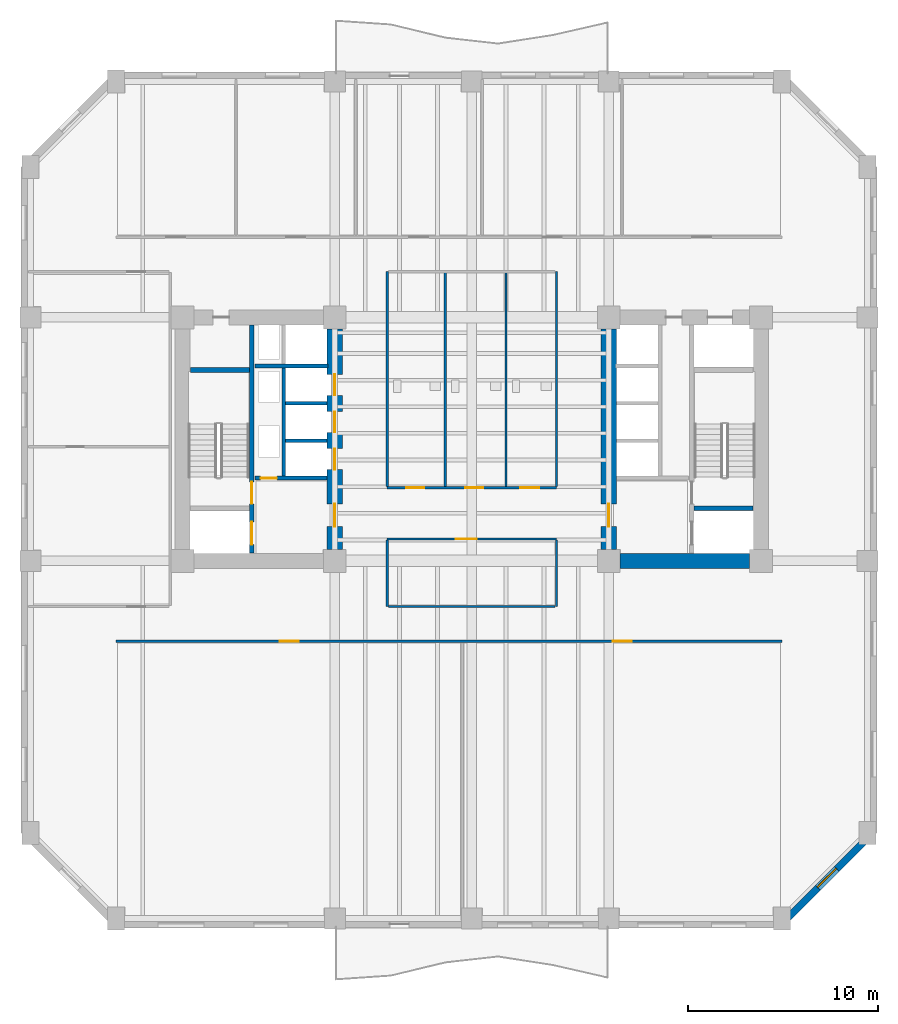
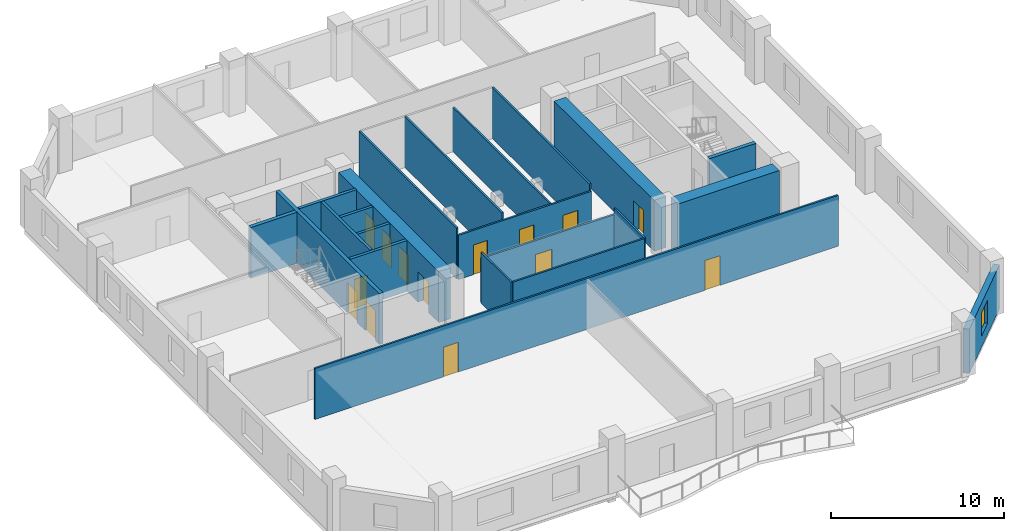
# One storey, part 3 of 9: 22 walls, 14 doors, 1 window, 15 openings.
"""IFC4 building model written with IfcOpenShell, lengths in metres."""

from ifc_helpers import new_model, si_unit, direction, frame, frame_2d, origin, place, context, subcontext, project, spatial, rectangle, extrude, material, layer, layer_set, type_object, element, fill, save


model = new_model("IFC4")

# Units and contexts
model_context = context("Model", 3, precision=1e-05, world=origin(), true_north=direction((0.0, 1.0)))
body_context = subcontext(model_context, "Body", "Model", "MODEL_VIEW")
ifc_project = project(units=[si_unit("LENGTHUNIT", "METRE"), si_unit("AREAUNIT", "SQUARE_METRE"), si_unit("VOLUMEUNIT", "CUBIC_METRE"), si_unit("PLANEANGLEUNIT", "RADIAN"), si_unit("MASSUNIT", "GRAM", prefix="KILO")], contexts=[model_context])

# Site, building, storey
site_placement = place(None, origin())
site = spatial("IfcSite", under=ifc_project, at=site_placement, CompositionType="ELEMENT")
building_placement = place(site_placement, origin())
building = spatial("IfcBuilding", under=site, at=building_placement, Name="Kranthara Brick Stack", CompositionType="ELEMENT")
storey_placement = place(building_placement, frame((0.0, 0.0, 28.199951171875)))
storey = spatial("IfcBuildingStorey", under=building, at=storey_placement, Name="L06", CompositionType="ELEMENT", Elevation=28.199951171875)

# Wall, opening, window
ifc_material_1 = material(Name="Kiln-fired clay brick masonry M15", Category="masonry")
ifc_layer_1 = layer(ifc_material_1, 0.3798828125)
ifc_layer_set_1 = layer_set([ifc_layer_1], Name="Kiln-fired clay brick masonry M15")
wall_type_1 = type_object("IfcWallType", Name="WL-BRK-PIER-380", PredefinedType="STANDARD", material=ifc_layer_set_1)
wall_1_placement = place(storey_placement, frame((49.090087890625, 6.5, 0.0), z_axis=(0.0, 0.0, 1.0), x_axis=(-0.707106781187, -0.707106781187, 0.0)))
wall_1 = element("IfcWall", 1, at=wall_1_placement, inside=storey, type_object=wall_type_1, Name="L06 Exterior Brick Facade Wall SE 1", PredefinedType="STANDARD", context=body_context, shape_type="SweptSolid", body=[
    extrude(rectangle(XDim=6.774169921875, YDim=0.3798828125, at=frame_2d((3.38720703125, 0.0))), origin(), (0.0, 0.0, 1.0), 3.135009765625),
])
opening_1_placement = place(wall_1_placement, frame((2.68701171875, 0.0, 0.800048828125)))
opening_1 = element("IfcOpeningElement", 2, at=opening_1_placement, cuts=wall_1, Name="Opening WN10", PredefinedType="OPENING", context=body_context, shape_type="SweptSolid", body=[
    extrude(rectangle(XDim=1.39990234375, YDim=1.64990234375, at=frame_2d((0.699951171875, 0.824951171875))), frame((0.0, 0.199951171875, 0.0), z_axis=(0.0, -1.0, 0.0), x_axis=(1.0, 0.0, 0.0)), (0.0, 0.0, 1.0), 0.39990234375),
])
ifc_material_2 = material(Name="Double-glazed low-E solar control glass", Category="glass")
window_type = type_object("IfcWindowType", Name="WN-CHM-1400x1750", PartitioningType="SINGLE_PANEL", PredefinedType="WINDOW", material=ifc_material_2)
window_placement = place(opening_1_placement, origin())
window = element("IfcWindow", 3, at=window_placement, inside=storey, type_object=window_type, Name="L06 SE Chamfer Corner Window", OverallHeight=1.64990234375, OverallWidth=1.39990234375, PartitioningType="SINGLE_PANEL", PredefinedType="WINDOW", context=body_context, shape_type="SweptSolid", body=[
    extrude(rectangle(XDim=1.39990234375, YDim=1.64990234375, at=frame_2d((0.699951171875, 0.824951171875))), frame((0.0, -0.010009765625, 0.0), z_axis=(0.0, -1.0, 0.0), x_axis=(1.0, 0.0, 0.0)), (0.0, 0.0, 1.0), 0.06005859375),
])
fill(opening_1, window)

# Wall, openings, doors
ifc_material_3 = material(Name="Concrete C50/60", Category="concrete")
ifc_layer_2 = layer(ifc_material_3, 0.25)
ifc_layer_set_2 = layer_set([ifc_layer_2], Name="Concrete C50/60")
wall_type_2 = type_object("IfcWallType", Name="WL-CORE-250", PredefinedType="SHEAR", material=ifc_layer_set_2)
wall_2_placement = place(storey_placement, frame((16.43505859375, 21.2099609375, 0.0), z_axis=(0.0, 0.0, 1.0), x_axis=(0.0, 1.0, 0.0)))
wall_2 = element("IfcWall", 4, at=wall_2_placement, inside=storey, type_object=wall_type_2, Name="L06 West Core Stair Bearing Spine Wall", PredefinedType="SHEAR", context=body_context, shape_type="SweptSolid", body=[
    extrude(rectangle(XDim=11.97998046875, YDim=0.25, at=frame_2d((5.989990234375, 0.0))), origin(), (0.0, 0.0, 1.0), 3.60009765625),
])
opening_2_placement = place(wall_2_placement, frame((0.43994140625, 0.0, 0.0)))
opening_2 = element("IfcOpeningElement", 5, at=opening_2_placement, cuts=wall_2, Name="Opening LD01", PredefinedType="OPENING", context=body_context, shape_type="SweptSolid", body=[
    extrude(rectangle(XDim=1.199951171875, YDim=2.14990234375, at=frame_2d((0.60009765625, 1.074951171875))), frame((0.0, 0.135009765625, 0.0), z_axis=(0.0, -1.0, 0.0), x_axis=(1.0, 0.0, 0.0)), (0.0, 0.0, 1.0), 0.27001953125),
])
opening_3_placement = place(wall_2_placement, frame((2.590087890625, 0.0, 0.0)))
opening_3 = element("IfcOpeningElement", 6, at=opening_3_placement, cuts=wall_2, Name="Opening D05", PredefinedType="OPENING", context=body_context, shape_type="SweptSolid", body=[
    extrude(rectangle(XDim=1.14990234375, YDim=2.14990234375, at=frame_2d((0.574951171875, 1.074951171875))), frame((0.0, 0.135009765625, 0.0), z_axis=(0.0, -1.0, 0.0), x_axis=(1.0, 0.0, 0.0)), (0.0, 0.0, 1.0), 0.27001953125),
])
ifc_material_4 = material(Name="Stainless steel sliding landing door", Category="steel")
door_type_1 = type_object("IfcDoorType", Name="DR-LD-FF1200", OperationType="DOUBLE_DOOR_SLIDING", PredefinedType="DOOR", material=ifc_material_4)
door_1_placement = place(opening_2_placement, origin())
door_1 = element("IfcDoor", 7, at=door_1_placement, inside=storey, type_object=door_type_1, Name="L06 Firefighting Lift FF-01 Landing Door", OperationType="DOUBLE_DOOR_SLIDING", OverallHeight=2.14990234375, OverallWidth=1.199951171875, PredefinedType="DOOR", context=body_context, shape_type="SweptSolid", body=[
    extrude(rectangle(XDim=1.199951171875, YDim=2.14990234375, at=frame_2d((0.60009765625, 1.074951171875))), frame((0.0, 0.02490234375, 0.0), z_axis=(0.0, -1.0, 0.0), x_axis=(1.0, 0.0, 0.0)), (0.0, 0.0, 1.0), 0.050048828125),
])
fill(opening_2, door_1)
ifc_material_5 = material(Name="Solid-core hardwood timber leaf in steel frame", Category="steel")
door_type_2 = type_object("IfcDoorType", Name="DR-ST-1150", OperationType="NOTDEFINED", PredefinedType="DOOR", material=ifc_material_5)
door_2_placement = place(opening_3_placement, origin())
door_2 = element("IfcDoor", 8, at=door_2_placement, inside=storey, type_object=door_type_2, Name="L06 Exit Stair ST01 Door", OperationType="SINGLE_SWING_RIGHT", OverallHeight=2.14990234375, OverallWidth=1.14990234375, PredefinedType="DOOR", context=body_context, shape_type="SweptSolid", body=[
    extrude(rectangle(XDim=1.14990234375, YDim=2.14990234375, at=frame_2d((0.574951171875, 1.074951171875))), frame((0.0, 0.02490234375, 0.0), z_axis=(0.0, -1.0, 0.0), x_axis=(1.0, 0.0, 0.0)), (0.0, 0.0, 1.0), 0.050048828125),
])
fill(opening_3, door_2)

# Walls
for number, where, z_axis, x_axis, name in (
    (9, (13.2099609375, 30.830078125, 0.0), (0.0, 0.0, 1.0), (1.0, 0.0, 0.0), "L06 West Stairwell Bearing Wall WST"),
    (10, (39.68994140625, 23.570068359375, 0.0), (0.0, 0.0, 1.0), (1.0, 0.0, 0.0), "L06 East Stairwell Bearing Wall EFF"),
):
    element("IfcWall", number, at=place(storey_placement, frame(where, z_axis=z_axis, x_axis=x_axis)), inside=storey, type_object=wall_type_2, Name=name, PredefinedType="SHEAR", context=body_context, shape_type="SweptSolid", body=[
        extrude(rectangle(XDim=3.10009765625, YDim=0.25, at=frame_2d((1.550048828125, 0.0))), origin(), (0.0, 0.0, 1.0), 3.60009765625),
    ])

# Wall, openings, doors
ifc_material_6 = material(Name="Concrete C70/85", Category="concrete")
ifc_layer_3 = layer(ifc_material_6, 0.800048828125)
ifc_layer_set_3 = layer_set([ifc_layer_3], Name="Concrete C70/85")
wall_type_3 = type_object("IfcWallType", Name="WL-CORE-800", PredefinedType="SHEAR", material=ifc_layer_set_3)
wall_3_placement = place(storey_placement, frame((20.800048828125, 21.405029296875, 0.0), z_axis=(0.0, 0.0, 1.0), x_axis=(0.0, 1.0, 0.0)))
wall_3 = element("IfcWall", 11, at=wall_3_placement, inside=storey, type_object=wall_type_3, Name="L06 West Core Shear Wall East", PredefinedType="SHEAR", context=body_context, shape_type="SweptSolid", body=[
    extrude(rectangle(XDim=11.590087890625, YDim=0.800048828125, at=frame_2d((5.794921875, 0.0))), origin(), (0.0, 0.0, 1.0), 3.60009765625),
])
opening_4_placement = place(wall_3_placement, frame((1.195068359375, 0.0, 0.0)))
opening_4 = element("IfcOpeningElement", 12, at=opening_4_placement, cuts=wall_3, Name="Opening D06", PredefinedType="OPENING", context=body_context, shape_type="SweptSolid", body=[
    extrude(rectangle(XDim=1.199951171875, YDim=2.14990234375, at=frame_2d((0.60009765625, 1.074951171875))), frame((0.0, 0.409912109375, 0.0), z_axis=(0.0, -1.0, 0.0), x_axis=(1.0, 0.0, 0.0)), (0.0, 0.0, 1.0), 0.820068359375),
])
opening_5_placement = place(wall_3_placement, frame((4.195068359375, 0.0, 0.0)))
opening_5 = element("IfcOpeningElement", 13, at=opening_5_placement, cuts=wall_3, Name="Opening LD02", PredefinedType="OPENING", context=body_context, shape_type="SweptSolid", body=[
    extrude(rectangle(XDim=1.10009765625, YDim=2.10009765625, at=frame_2d((0.550048828125, 1.050048828125))), frame((0.0, 0.409912109375, 0.0), z_axis=(0.0, -1.0, 0.0), x_axis=(1.0, 0.0, 0.0)), (0.0, 0.0, 1.0), 0.820068359375),
])
opening_6_placement = place(wall_3_placement, frame((6.14501953125, 0.0, 0.0)))
opening_6 = element("IfcOpeningElement", 14, at=opening_6_placement, cuts=wall_3, Name="Opening LD02", PredefinedType="OPENING", context=body_context, shape_type="SweptSolid", body=[
    extrude(rectangle(XDim=1.10009765625, YDim=2.10009765625, at=frame_2d((0.550048828125, 1.050048828125))), frame((0.0, 0.409912109375, 0.0), z_axis=(0.0, -1.0, 0.0), x_axis=(1.0, 0.0, 0.0)), (0.0, 0.0, 1.0), 0.820068359375),
])
opening_7_placement = place(wall_3_placement, frame((8.094970703125, 0.0, 0.0)))
opening_7 = element("IfcOpeningElement", 15, at=opening_7_placement, cuts=wall_3, Name="Opening LD02", PredefinedType="OPENING", context=body_context, shape_type="SweptSolid", body=[
    extrude(rectangle(XDim=1.10009765625, YDim=2.10009765625, at=frame_2d((0.550048828125, 1.050048828125))), frame((0.0, 0.409912109375, 0.0), z_axis=(0.0, -1.0, 0.0), x_axis=(1.0, 0.0, 0.0)), (0.0, 0.0, 1.0), 0.820068359375),
])
ifc_material_7 = material(Name="Solid-core hardwood timber leaf in steel frame", Category="steel")
door_type_3 = type_object("IfcDoorType", Name="DR-FFL-1200", OperationType="NOTDEFINED", PredefinedType="DOOR", material=ifc_material_7)
door_3_placement = place(opening_4_placement, origin())
door_3 = element("IfcDoor", 16, at=door_3_placement, inside=storey, type_object=door_type_3, Name="L06 West Firefighting Lobby Door", OperationType="SINGLE_SWING_LEFT", OverallHeight=2.14990234375, OverallWidth=1.199951171875, PredefinedType="DOOR", context=body_context, shape_type="SweptSolid", body=[
    extrude(rectangle(XDim=1.199951171875, YDim=2.14990234375, at=frame_2d((0.60009765625, 1.074951171875))), frame((0.0, 0.02490234375, 0.0), z_axis=(0.0, -1.0, 0.0), x_axis=(1.0, 0.0, 0.0)), (0.0, 0.0, 1.0), 0.050048828125),
])
fill(opening_4, door_3)
ifc_material_8 = material(Name="Stainless steel sliding landing door", Category="steel")
door_type_4 = type_object("IfcDoorType", Name="DR-LD-PL1100", OperationType="DOUBLE_DOOR_SLIDING", PredefinedType="DOOR", material=ifc_material_8)
door_4_placement = place(opening_5_placement, origin())
door_4 = element("IfcDoor", 17, at=door_4_placement, inside=storey, type_object=door_type_4, Name="L06 PL-01 Lift Landing Door", OperationType="DOUBLE_DOOR_SLIDING", OverallHeight=2.10009765625, OverallWidth=1.10009765625, PredefinedType="DOOR", context=body_context, shape_type="SweptSolid", body=[
    extrude(rectangle(XDim=1.10009765625, YDim=2.10009765625, at=frame_2d((0.550048828125, 1.050048828125))), frame((0.0, 0.02490234375, 0.0), z_axis=(0.0, -1.0, 0.0), x_axis=(1.0, 0.0, 0.0)), (0.0, 0.0, 1.0), 0.050048828125),
])
fill(opening_5, door_4)
door_5_placement = place(opening_6_placement, origin())
door_5 = element("IfcDoor", 18, at=door_5_placement, inside=storey, type_object=door_type_4, Name="L06 PL-02 Lift Landing Door", OperationType="DOUBLE_DOOR_SLIDING", OverallHeight=2.10009765625, OverallWidth=1.10009765625, PredefinedType="DOOR", context=body_context, shape_type="SweptSolid", body=[
    extrude(rectangle(XDim=1.10009765625, YDim=2.10009765625, at=frame_2d((0.550048828125, 1.050048828125))), frame((0.0, 0.02490234375, 0.0), z_axis=(0.0, -1.0, 0.0), x_axis=(1.0, 0.0, 0.0)), (0.0, 0.0, 1.0), 0.050048828125),
])
fill(opening_6, door_5)
door_6_placement = place(opening_7_placement, origin())
door_6 = element("IfcDoor", 19, at=door_6_placement, inside=storey, type_object=door_type_4, Name="L06 PL-03 Lift Landing Door", OperationType="DOUBLE_DOOR_SLIDING", OverallHeight=2.10009765625, OverallWidth=1.10009765625, PredefinedType="DOOR", context=body_context, shape_type="SweptSolid", body=[
    extrude(rectangle(XDim=1.10009765625, YDim=2.10009765625, at=frame_2d((0.550048828125, 1.050048828125))), frame((0.0, 0.02490234375, 0.0), z_axis=(0.0, -1.0, 0.0), x_axis=(1.0, 0.0, 0.0)), (0.0, 0.0, 1.0), 0.050048828125),
])
fill(opening_7, door_6)

# Wall
wall_4_placement = place(storey_placement, frame((35.804931640625, 20.800048828125, 0.0), z_axis=(0.0, 0.0, 1.0), x_axis=(1.0, 0.0, 0.0)))
element("IfcWall", 20, at=wall_4_placement, inside=storey, type_object=wall_type_3, Name="L06 East Core Shear Wall South", PredefinedType="SHEAR", context=body_context, shape_type="SweptSolid", body=[
    extrude(rectangle(XDim=6.7900390625, YDim=0.800048828125, at=frame_2d((3.39501953125, 0.0))), origin(), (0.0, 0.0, 1.0), 3.60009765625),
])

# Wall, opening, door
wall_5_placement = place(storey_placement, frame((35.199951171875, 21.405029296875, 0.0), z_axis=(0.0, 0.0, 1.0), x_axis=(0.0, 1.0, 0.0)))
wall_5 = element("IfcWall", 21, at=wall_5_placement, inside=storey, type_object=wall_type_3, Name="L06 East Core Shear Wall West", PredefinedType="SHEAR", context=body_context, shape_type="SweptSolid", body=[
    extrude(rectangle(XDim=11.590087890625, YDim=0.800048828125, at=frame_2d((5.794921875, 0.0))), origin(), (0.0, 0.0, 1.0), 3.60009765625),
])
opening_8_placement = place(wall_5_placement, frame((1.195068359375, 0.0, 0.0)))
opening_8 = element("IfcOpeningElement", 22, at=opening_8_placement, cuts=wall_5, Name="Opening D06", PredefinedType="OPENING", context=body_context, shape_type="SweptSolid", body=[
    extrude(rectangle(XDim=1.199951171875, YDim=2.14990234375, at=frame_2d((0.60009765625, 1.074951171875))), frame((0.0, 0.409912109375, 0.0), z_axis=(0.0, -1.0, 0.0), x_axis=(1.0, 0.0, 0.0)), (0.0, 0.0, 1.0), 0.820068359375),
])
door_7_placement = place(opening_8_placement, origin())
door_7 = element("IfcDoor", 23, at=door_7_placement, inside=storey, type_object=door_type_3, Name="L06 East Firefighting Lobby Door", OperationType="SINGLE_SWING_RIGHT", OverallHeight=2.14990234375, OverallWidth=1.199951171875, PredefinedType="DOOR", context=body_context, shape_type="SweptSolid", body=[
    extrude(rectangle(XDim=1.199951171875, YDim=2.14990234375, at=frame_2d((0.60009765625, 1.074951171875))), frame((0.0, 0.02490234375, 0.0), z_axis=(0.0, -1.0, 0.0), x_axis=(1.0, 0.0, 0.0)), (0.0, 0.0, 1.0), 0.050048828125),
])
fill(opening_8, door_7)

# Wall, openings, doors
ifc_material_9 = material(Name="Acoustic gypsum plasterboard partition", Category="other")
ifc_layer_4 = layer(ifc_material_9, 0.1201171875)
ifc_layer_set_4 = layer_set([ifc_layer_4], Name="Acoustic gypsum plasterboard partition")
wall_type_4 = type_object("IfcWallType", Name="WL-PART-120", PredefinedType="PARTITIONING", material=ifc_layer_set_4)
wall_6_placement = place(storey_placement, frame((23.550048828125, 24.64990234375, 0.0), z_axis=(0.0, 0.0, 1.0), x_axis=(1.0, 0.0, 0.0)))
wall_6 = element("IfcWall", 24, at=wall_6_placement, inside=storey, type_object=wall_type_4, Name="L06 Interior Partition 001", PredefinedType="PARTITIONING", context=body_context, shape_type="SweptSolid", body=[
    extrude(rectangle(XDim=8.89990234375, YDim=0.1201171875, at=frame_2d((4.449951171875, 0.0))), origin(), (0.0, 0.0, 1.0), 3.135009765625),
])
opening_9_placement = place(wall_6_placement, frame((1.0, 0.0, 0.0)))
opening_9 = element("IfcOpeningElement", 25, at=opening_9_placement, cuts=wall_6, Name="Opening D14", PredefinedType="OPENING", context=body_context, shape_type="SweptSolid", body=[
    extrude(rectangle(XDim=0.949951171875, YDim=2.10009765625, at=frame_2d((0.47509765625, 1.050048828125))), frame((0.0, 0.070068359375, 0.0), z_axis=(0.0, -1.0, 0.0), x_axis=(1.0, 0.0, 0.0)), (0.0, 0.0, 1.0), 0.14013671875),
])
opening_10_placement = place(wall_6_placement, frame((4.10009765625, 0.0, 0.0)))
opening_10 = element("IfcOpeningElement", 26, at=opening_10_placement, cuts=wall_6, Name="Opening D14", PredefinedType="OPENING", context=body_context, shape_type="SweptSolid", body=[
    extrude(rectangle(XDim=0.949951171875, YDim=2.10009765625, at=frame_2d((0.47509765625, 1.050048828125))), frame((0.0, 0.070068359375, 0.0), z_axis=(0.0, -1.0, 0.0), x_axis=(1.0, 0.0, 0.0)), (0.0, 0.0, 1.0), 0.14013671875),
])
opening_11_placement = place(wall_6_placement, frame((7.0, 0.0, 0.0)))
opening_11 = element("IfcOpeningElement", 27, at=opening_11_placement, cuts=wall_6, Name="Opening D18", PredefinedType="OPENING", context=body_context, shape_type="SweptSolid", body=[
    extrude(rectangle(XDim=1.0, YDim=2.10009765625, at=frame_2d((0.5, 1.050048828125))), frame((0.0, 0.070068359375, 0.0), z_axis=(0.0, -1.0, 0.0), x_axis=(1.0, 0.0, 0.0)), (0.0, 0.0, 1.0), 0.14013671875),
])
ifc_material_10 = material(Name="Solid-core hardwood timber leaf in steel frame", Category="steel")
door_type_5 = type_object("IfcDoorType", Name="DR-ACC-1000", OperationType="NOTDEFINED", PredefinedType="DOOR", material=ifc_material_10)
door_8_placement = place(opening_11_placement, origin())
door_8 = element("IfcDoor", 28, at=door_8_placement, inside=storey, type_object=door_type_5, Name="L06 Accessible WC Door 03", OperationType="SINGLE_SWING_LEFT", OverallHeight=2.10009765625, OverallWidth=1.0, PredefinedType="DOOR", context=body_context, shape_type="SweptSolid", body=[
    extrude(rectangle(XDim=1.0, YDim=2.10009765625, at=frame_2d((0.5, 1.050048828125))), frame((0.0, 0.02490234375, 0.0), z_axis=(0.0, -1.0, 0.0), x_axis=(1.0, 0.0, 0.0)), (0.0, 0.0, 1.0), 0.050048828125),
])
fill(opening_11, door_8)
ifc_material_11 = material(Name="Solid-core hardwood timber leaf in steel frame", Category="steel")
door_type_6 = type_object("IfcDoorType", Name="DR-INT-950", OperationType="NOTDEFINED", PredefinedType="DOOR", material=ifc_material_11)
door_9_placement = place(opening_9_placement, origin())
door_9 = element("IfcDoor", 29, at=door_9_placement, inside=storey, type_object=door_type_6, Name="L06 Male WC Door 01", OperationType="SINGLE_SWING_LEFT", OverallHeight=2.10009765625, OverallWidth=0.949951171875, PredefinedType="DOOR", context=body_context, shape_type="SweptSolid", body=[
    extrude(rectangle(XDim=0.949951171875, YDim=2.10009765625, at=frame_2d((0.47509765625, 1.050048828125))), frame((0.0, 0.02490234375, 0.0), z_axis=(0.0, -1.0, 0.0), x_axis=(1.0, 0.0, 0.0)), (0.0, 0.0, 1.0), 0.050048828125),
])
fill(opening_9, door_9)
door_10_placement = place(opening_10_placement, origin())
door_10 = element("IfcDoor", 30, at=door_10_placement, inside=storey, type_object=door_type_6, Name="L06 Female WC Door 02", OperationType="SINGLE_SWING_RIGHT", OverallHeight=2.10009765625, OverallWidth=0.949951171875, PredefinedType="DOOR", context=body_context, shape_type="SweptSolid", body=[
    extrude(rectangle(XDim=0.949951171875, YDim=2.10009765625, at=frame_2d((0.47509765625, 1.050048828125))), frame((0.0, 0.02490234375, 0.0), z_axis=(0.0, -1.0, 0.0), x_axis=(1.0, 0.0, 0.0)), (0.0, 0.0, 1.0), 0.050048828125),
])
fill(opening_10, door_10)

# Walls
for number, where, z_axis, x_axis, name in (
    (31, (23.550048828125, 24.715087890625, 0.0), (0.0, 0.0, 1.0), (0.0, 1.0, 0.0), "L06 Interior Partition 002"),
    (32, (32.449951171875, 24.715087890625, 0.0), (0.0, 0.0, 1.0), (0.0, 1.0, 0.0), "L06 Interior Partition 003"),
    (33, (26.60009765625, 24.715087890625, 0.0), (0.0, 0.0, 1.0), (0.0, 1.0, 0.0), "L06 Interior Partition 004"),
):
    element("IfcWall", number, at=place(storey_placement, frame(where, z_axis=z_axis, x_axis=x_axis)), inside=storey, type_object=wall_type_4, Name=name, PredefinedType="PARTITIONING", context=body_context, shape_type="SweptSolid", body=[
        extrude(rectangle(XDim=11.284912109375, YDim=0.1201171875, at=frame_2d((5.642578125, 0.0))), origin(), (0.0, 0.0, 1.0), 3.60009765625),
    ])
wall_7_placement = place(storey_placement, frame((29.800048828125, 24.715087890625, 0.0), z_axis=(0.0, 0.0, 1.0), x_axis=(0.0, 1.0, 0.0)))
element("IfcWall", 34, at=wall_7_placement, inside=storey, type_object=wall_type_4, Name="L06 Interior Partition 005", PredefinedType="PARTITIONING", context=body_context, shape_type="SweptSolid", body=[
    extrude(rectangle(XDim=11.284912109375, YDim=0.1201171875, at=frame_2d((5.642578125, 0.0))), origin(), (0.0, 0.0, 1.0), 3.135009765625),
])

# Wall, opening, door
wall_8_placement = place(storey_placement, frame((23.550048828125, 21.949951171875, 0.0), z_axis=(0.0, 0.0, 1.0), x_axis=(1.0, 0.0, 0.0)))
wall_8 = element("IfcWall", 35, at=wall_8_placement, inside=storey, type_object=wall_type_4, Name="L06 Interior Partition 007", PredefinedType="PARTITIONING", context=body_context, shape_type="SweptSolid", body=[
    extrude(rectangle(XDim=8.89990234375, YDim=0.1201171875, at=frame_2d((4.449951171875, 0.0))), origin(), (0.0, 0.0, 1.0), 3.135009765625),
])
opening_12_placement = place(wall_8_placement, frame((3.60009765625, 0.0, 0.0)))
opening_12 = element("IfcOpeningElement", 36, at=opening_12_placement, cuts=wall_8, Name="Opening D11", PredefinedType="OPENING", context=body_context, shape_type="SweptSolid", body=[
    extrude(rectangle(XDim=1.10009765625, YDim=2.14990234375, at=frame_2d((0.550048828125, 1.074951171875))), frame((0.0, 0.070068359375, 0.0), z_axis=(0.0, -1.0, 0.0), x_axis=(1.0, 0.0, 0.0)), (0.0, 0.0, 1.0), 0.14013671875),
])
ifc_material_12 = material(Name="Solid-core hardwood timber leaf in steel frame", Category="steel")
door_type_7 = type_object("IfcDoorType", Name="DR-INT-1100", OperationType="NOTDEFINED", PredefinedType="DOOR", material=ifc_material_12)
door_11_placement = place(opening_12_placement, origin())
door_11 = element("IfcDoor", 37, at=door_11_placement, inside=storey, type_object=door_type_7, Name="L06 Internal Briefing Room 04", OperationType="SINGLE_SWING_RIGHT", OverallHeight=2.14990234375, OverallWidth=1.10009765625, PredefinedType="DOOR", context=body_context, shape_type="SweptSolid", body=[
    extrude(rectangle(XDim=1.10009765625, YDim=2.14990234375, at=frame_2d((0.550048828125, 1.074951171875))), frame((0.0, 0.02490234375, 0.0), z_axis=(0.0, -1.0, 0.0), x_axis=(1.0, 0.0, 0.0)), (0.0, 0.0, 1.0), 0.050048828125),
])
fill(opening_12, door_11)

# Walls
for number, where, z_axis, x_axis, name in (
    (38, (23.550048828125, 18.39990234375, 0.0), (0.0, 0.0, 1.0), (0.0, 1.0, 0.0), "L06 Interior Partition 008"),
    (39, (32.449951171875, 18.39990234375, 0.0), (0.0, 0.0, 1.0), (0.0, 1.0, 0.0), "L06 Interior Partition 009"),
):
    element("IfcWall", number, at=place(storey_placement, frame(where, z_axis=z_axis, x_axis=x_axis)), inside=storey, type_object=wall_type_4, Name=name, PredefinedType="PARTITIONING", context=body_context, shape_type="SweptSolid", body=[
        extrude(rectangle(XDim=3.485107421875, YDim=0.1201171875, at=frame_2d((1.74267578125, 0.0))), origin(), (0.0, 0.0, 1.0), 3.60009765625),
    ])
wall_9_placement = place(storey_placement, frame((23.614990234375, 18.39990234375, 0.0), z_axis=(0.0, 0.0, 1.0), x_axis=(1.0, 0.0, 0.0)))
element("IfcWall", 40, at=wall_9_placement, inside=storey, type_object=wall_type_4, Name="L06 Interior Partition 010", PredefinedType="PARTITIONING", context=body_context, shape_type="SweptSolid", body=[
    extrude(rectangle(XDim=8.77001953125, YDim=0.1201171875, at=frame_2d((4.385009765625, 0.0))), origin(), (0.0, 0.0, 1.0), 3.60009765625),
])

# Wall, openings, doors
wall_10_placement = place(storey_placement, frame((9.300048828125, 16.580078125, 0.0), z_axis=(0.0, 0.0, 1.0), x_axis=(1.0, 0.0, 0.0)))
wall_10 = element("IfcWall", 41, at=wall_10_placement, inside=storey, type_object=wall_type_4, Name="L06 Interior Partition 011", PredefinedType="PARTITIONING", context=body_context, shape_type="SweptSolid", body=[
    extrude(rectangle(XDim=35.0, YDim=0.1201171875, at=frame_2d((17.5, 0.0))), origin(), (0.0, 0.0, 1.0), 3.60009765625),
])
opening_13_placement = place(wall_10_placement, frame((8.60009765625, 0.0, 0.0)))
opening_13 = element("IfcOpeningElement", 42, at=opening_13_placement, cuts=wall_10, Name="Opening D13", PredefinedType="OPENING", context=body_context, shape_type="SweptSolid", body=[
    extrude(rectangle(XDim=1.0, YDim=2.10009765625, at=frame_2d((0.5, 1.050048828125))), frame((0.0, 0.070068359375, 0.0), z_axis=(0.0, -1.0, 0.0), x_axis=(1.0, 0.0, 0.0)), (0.0, 0.0, 1.0), 0.14013671875),
])
opening_14_placement = place(wall_10_placement, frame((26.10009765625, 0.0, 0.0)))
opening_14 = element("IfcOpeningElement", 43, at=opening_14_placement, cuts=wall_10, Name="Opening D13", PredefinedType="OPENING", context=body_context, shape_type="SweptSolid", body=[
    extrude(rectangle(XDim=1.0, YDim=2.10009765625, at=frame_2d((0.5, 1.050048828125))), frame((0.0, 0.070068359375, 0.0), z_axis=(0.0, -1.0, 0.0), x_axis=(1.0, 0.0, 0.0)), (0.0, 0.0, 1.0), 0.14013671875),
])
ifc_material_13 = material(Name="Solid-core hardwood timber leaf in steel frame", Category="steel")
door_type_8 = type_object("IfcDoorType", Name="DR-INT-1000", OperationType="NOTDEFINED", PredefinedType="DOOR", material=ifc_material_13)
door_12_placement = place(opening_13_placement, origin())
door_12 = element("IfcDoor", 44, at=door_12_placement, inside=storey, type_object=door_type_8, Name="L06 Open Plan Workspace 05", OperationType="SINGLE_SWING_LEFT", OverallHeight=2.10009765625, OverallWidth=1.0, PredefinedType="DOOR", context=body_context, shape_type="SweptSolid", body=[
    extrude(rectangle(XDim=1.0, YDim=2.10009765625, at=frame_2d((0.5, 1.050048828125))), frame((0.0, 0.02490234375, 0.0), z_axis=(0.0, -1.0, 0.0), x_axis=(1.0, 0.0, 0.0)), (0.0, 0.0, 1.0), 0.050048828125),
])
fill(opening_13, door_12)
door_13_placement = place(opening_14_placement, origin())
door_13 = element("IfcDoor", 45, at=door_13_placement, inside=storey, type_object=door_type_8, Name="L06 Collaboration Lounge 06", OperationType="SINGLE_SWING_RIGHT", OverallHeight=2.10009765625, OverallWidth=1.0, PredefinedType="DOOR", context=body_context, shape_type="SweptSolid", body=[
    extrude(rectangle(XDim=1.0, YDim=2.10009765625, at=frame_2d((0.5, 1.050048828125))), frame((0.0, 0.02490234375, 0.0), z_axis=(0.0, -1.0, 0.0), x_axis=(1.0, 0.0, 0.0)), (0.0, 0.0, 1.0), 0.050048828125),
])
fill(opening_14, door_13)

# Walls
ifc_material_14 = material(Name="Gypsum plasterboard on acoustic twin stud", Category="other")
ifc_layer_5 = layer(ifc_material_14, 0.179931640625)
ifc_layer_set_5 = layer_set([ifc_layer_5], Name="Gypsum plasterboard on acoustic twin stud")
wall_type_5 = type_object("IfcWallType", Name="WL-PART-180", PredefinedType="PARTITIONING", material=ifc_layer_set_5)
wall_11_placement = place(storey_placement, frame((18.1201171875, 25.27001953125, 0.0), z_axis=(0.0, 0.0, 1.0), x_axis=(0.0, 1.0, 0.0)))
element("IfcWall", 46, at=wall_11_placement, inside=storey, type_object=wall_type_5, Name="L06 West Hoistway Wall WBK", PredefinedType="PARTITIONING", context=body_context, shape_type="SweptSolid", body=[
    extrude(rectangle(XDim=5.659912109375, YDim=0.179931640625, at=frame_2d((2.830078125, 0.0))), origin(), (0.0, 0.0, 1.0), 3.60009765625),
])
for number, where, z_axis, x_axis, name in (
    (47, (18.219970703125, 27.1201171875, 0.0), (0.0, 0.0, 1.0), (1.0, 0.0, 0.0), "L06 West Hoistway Wall WH1"),
    (48, (18.219970703125, 29.080078125, 0.0), (0.0, 0.0, 1.0), (1.0, 0.0, 0.0), "L06 West Hoistway Wall WH2"),
):
    element("IfcWall", number, at=place(storey_placement, frame(where, z_axis=z_axis, x_axis=x_axis)), inside=storey, type_object=wall_type_5, Name=name, PredefinedType="PARTITIONING", context=body_context, shape_type="SweptSolid", body=[
        extrude(rectangle(XDim=2.169921875, YDim=0.179931640625, at=frame_2d((1.0849609375, 0.0))), origin(), (0.0, 0.0, 1.0), 3.60009765625),
    ])

# Wall, opening, door
ifc_material_15 = material(Name="Concrete C40/50", Category="concrete")
ifc_layer_6 = layer(ifc_material_15, 0.199951171875)
ifc_layer_set_6 = layer_set([ifc_layer_6], Name="Concrete C40/50")
wall_type_6 = type_object("IfcWallType", Name="WL-PART-200", PredefinedType="SOLIDWALL", material=ifc_layer_set_6)
wall_12_placement = place(storey_placement, frame((16.60009765625, 25.14990234375, 0.0), z_axis=(0.0, 0.0, 1.0), x_axis=(1.0, 0.0, 0.0)))
wall_12 = element("IfcWall", 49, at=wall_12_placement, inside=storey, type_object=wall_type_6, Name="L06 West Core Cross Wall WFL", PredefinedType="SOLIDWALL", context=body_context, shape_type="SweptSolid", body=[
    extrude(rectangle(XDim=3.789794921875, YDim=0.199951171875, at=frame_2d((1.89501953125, 0.0))), origin(), (0.0, 0.0, 1.0), 3.60009765625),
])
opening_15_placement = place(wall_12_placement, frame((0.300048828125, 0.0, 0.0)))
opening_15 = element("IfcOpeningElement", 50, at=opening_15_placement, cuts=wall_12, Name="Opening D10", PredefinedType="OPENING", context=body_context, shape_type="SweptSolid", body=[
    extrude(rectangle(XDim=0.85009765625, YDim=2.02001953125, at=frame_2d((0.425048828125, 1.010009765625))), frame((0.0, 0.10986328125, 0.0), z_axis=(0.0, -1.0, 0.0), x_axis=(1.0, 0.0, 0.0)), (0.0, 0.0, 1.0), 0.219970703125),
])
ifc_material_16 = material(Name="Solid-core hardwood timber leaf in steel frame", Category="steel")
door_type_9 = type_object("IfcDoorType", Name="DR-RSR-850", OperationType="NOTDEFINED", PredefinedType="DOOR", material=ifc_material_16)
door_14_placement = place(opening_15_placement, origin())
door_14 = element("IfcDoor", 51, at=door_14_placement, inside=storey, type_object=door_type_9, Name="L06 Mechanical Riser Access Door", OperationType="SINGLE_SWING_LEFT", OverallHeight=2.02001953125, OverallWidth=0.85009765625, PredefinedType="DOOR", context=body_context, shape_type="SweptSolid", body=[
    extrude(rectangle(XDim=0.85009765625, YDim=2.02001953125, at=frame_2d((0.425048828125, 1.010009765625))), frame((0.0, 0.02490234375, 0.0), z_axis=(0.0, -1.0, 0.0), x_axis=(1.0, 0.0, 0.0)), (0.0, 0.0, 1.0), 0.050048828125),
])
fill(opening_15, door_14)

# Wall
wall_13_placement = place(storey_placement, frame((16.60009765625, 31.050048828125, 0.0), z_axis=(0.0, 0.0, 1.0), x_axis=(1.0, 0.0, 0.0)))
element("IfcWall", 52, at=wall_13_placement, inside=storey, type_object=wall_type_6, Name="L06 West Core Cross Wall WH4", PredefinedType="SOLIDWALL", context=body_context, shape_type="SweptSolid", body=[
    extrude(rectangle(XDim=3.849853515625, YDim=0.199951171875, at=frame_2d((1.9248046875, 0.0))), origin(), (0.0, 0.0, 1.0), 3.60009765625),
])

save(model, "model.ifc")
